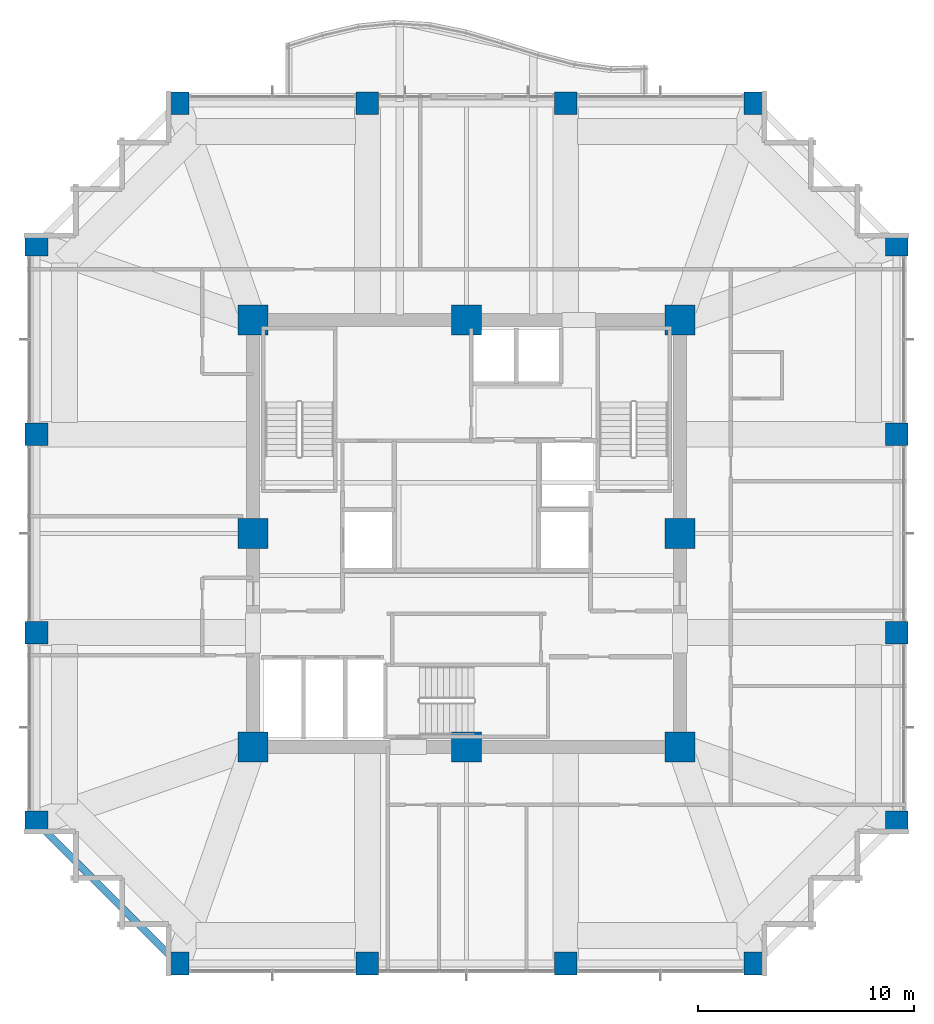
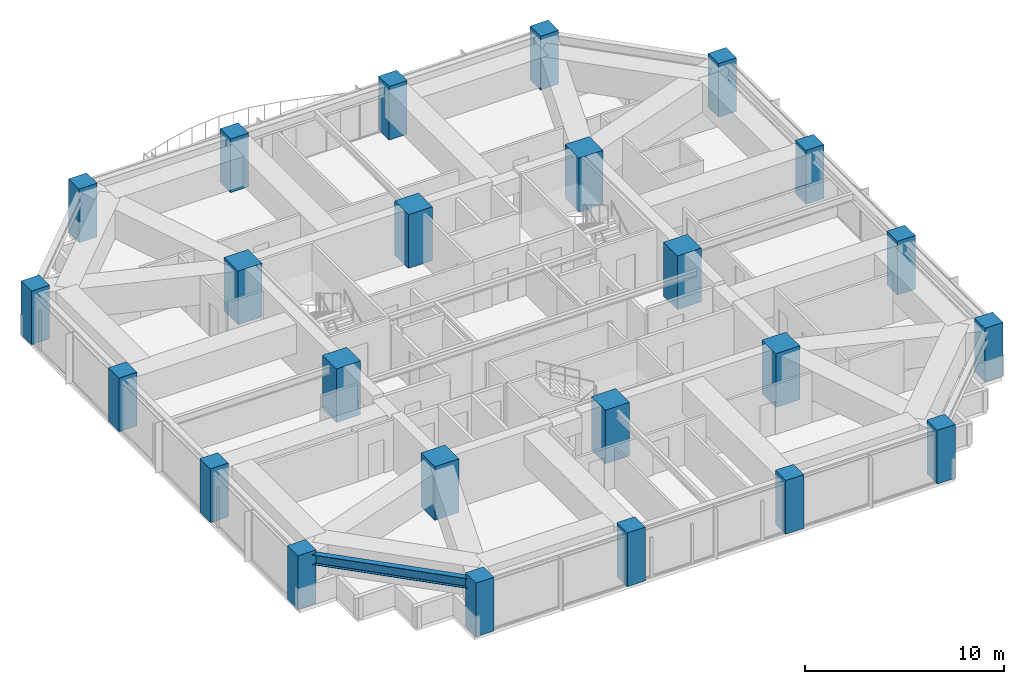
# One storey, part 1 of 34: 24 columns, 1 beam.
"""IFC4 building model written with IfcOpenShell, lengths in metres."""

from ifc_helpers import new_model, si_unit, direction, frame, origin, origin_2d, place, context, subcontext, project, spatial, rectangle, i_section, extrude, material, material_profile, profile_set, type_object, element, save


model = new_model("IFC4")

# Units and contexts
model_context = context("Model", 3, precision=1e-05, world=origin(), true_north=direction((0.0, 1.0)))
body_context = subcontext(model_context, "Body", "Model", "MODEL_VIEW")
ifc_project = project(units=[si_unit("LENGTHUNIT", "METRE"), si_unit("AREAUNIT", "SQUARE_METRE"), si_unit("VOLUMEUNIT", "CUBIC_METRE"), si_unit("PLANEANGLEUNIT", "RADIAN"), si_unit("MASSUNIT", "GRAM", prefix="KILO")], contexts=[model_context])

# Site, building, storey
site_placement = place(None, origin())
site = spatial("IfcSite", under=ifc_project, at=site_placement, CompositionType="ELEMENT")
building_placement = place(site_placement, origin())
building = spatial("IfcBuilding", under=site, at=building_placement, Name="Kolvaren Belvedere", CompositionType="ELEMENT")
storey_placement = place(building_placement, frame((0.0, 0.0, 105.199951171875)))
storey = spatial("IfcBuildingStorey", under=building, at=storey_placement, Name="L30", CompositionType="ELEMENT", Elevation=105.199951171875)

# Columns
ifc_material_1 = material(Name="Concrete C50/60", Category="concrete")
ifc_material_profile_1 = material_profile(ifc_material_1, rectangle(XDim=1.050048828125, YDim=1.050048828125, at=origin_2d()), Name="RC 1050X1050")
ifc_profile_set_1 = profile_set([ifc_material_profile_1], Name="Concrete C50/60")
column_type_1 = type_object("IfcColumnType", Name="COL-RC-1050", PredefinedType="COLUMN", material=ifc_profile_set_1)
for number, where, z_axis, x_axis, name in (
    (1, (-13.39990234375, -19.949951171875, 0.0), (0.0, 0.0, 1.0), (1.0, 0.0, 0.0), "L30 Perimeter Column S1"),
    (2, (-4.60009765625, -19.949951171875, 0.0), (0.0, 0.0, 1.0), (1.0, 0.0, 0.0), "L30 Perimeter Column S2"),
    (3, (4.60009765625, -19.949951171875, 0.0), (0.0, 0.0, 1.0), (1.0, 0.0, 0.0), "L30 Perimeter Column S3"),
    (4, (13.39990234375, -19.949951171875, 0.0), (0.0, 0.0, 1.0), (1.0, 0.0, 0.0), "L30 Perimeter Column S4"),
    (5, (-13.39990234375, 19.949951171875, 0.0), (0.0, 0.0, 1.0), (1.0, 0.0, 0.0), "L30 Perimeter Column N1"),
    (6, (-4.60009765625, 19.949951171875, 0.0), (0.0, 0.0, 1.0), (1.0, 0.0, 0.0), "L30 Perimeter Column N2"),
    (7, (4.60009765625, 19.949951171875, 0.0), (0.0, 0.0, 1.0), (1.0, 0.0, 0.0), "L30 Perimeter Column N3"),
    (8, (13.39990234375, 19.949951171875, 0.0), (0.0, 0.0, 1.0), (1.0, 0.0, 0.0), "L30 Perimeter Column N4"),
    (9, (-19.949951171875, -13.39990234375, 0.0), (0.0, 0.0, 1.0), (1.0, 0.0, 0.0), "L30 Perimeter Column W1"),
    (10, (-19.949951171875, -4.60009765625, 0.0), (0.0, 0.0, 1.0), (1.0, 0.0, 0.0), "L30 Perimeter Column W2"),
    (11, (-19.949951171875, 4.60009765625, 0.0), (0.0, 0.0, 1.0), (1.0, 0.0, 0.0), "L30 Perimeter Column W3"),
    (12, (-19.949951171875, 13.39990234375, 0.0), (0.0, 0.0, 1.0), (1.0, 0.0, 0.0), "L30 Perimeter Column W4"),
    (13, (19.949951171875, -13.39990234375, 0.0), (0.0, 0.0, 1.0), (1.0, 0.0, 0.0), "L30 Perimeter Column E1"),
    (14, (19.949951171875, -4.60009765625, 0.0), (0.0, 0.0, 1.0), (1.0, 0.0, 0.0), "L30 Perimeter Column E2"),
    (15, (19.949951171875, 4.60009765625, 0.0), (0.0, 0.0, 1.0), (1.0, 0.0, 0.0), "L30 Perimeter Column E3"),
    (16, (19.949951171875, 13.39990234375, 0.0), (0.0, 0.0, 1.0), (1.0, 0.0, 0.0), "L30 Perimeter Column E4"),
):
    element("IfcColumn", number, at=place(storey_placement, frame(where, z_axis=z_axis, x_axis=x_axis)), inside=storey, type_object=column_type_1, Name=name, PredefinedType="COLUMN", context=body_context, shape_type="SweptSolid", body=[
        extrude(rectangle(XDim=1.050048828125, YDim=1.050048828125, at=origin_2d()), origin(), (0.0, 0.0, 1.0), 3.300048828125),
    ])
ifc_material_2 = material(Name="Concrete C60/75", Category="concrete")
ifc_material_profile_2 = material_profile(ifc_material_2, rectangle(XDim=1.39990234375, YDim=1.39990234375, at=origin_2d()), Name="RC 1400X1400")
ifc_profile_set_2 = profile_set([ifc_material_profile_2], Name="Concrete C60/75")
column_type_2 = type_object("IfcColumnType", Name="COL-RC-1400", PredefinedType="COLUMN", material=ifc_profile_set_2)
for number, where, z_axis, x_axis, name in (
    (17, (-9.89990234375, -9.89990234375, 0.0), (0.0, 0.0, 1.0), (1.0, 0.0, 0.0), "L30 Core Column CC1"),
    (18, (9.89990234375, -9.89990234375, 0.0), (0.0, 0.0, 1.0), (1.0, 0.0, 0.0), "L30 Core Column CC2"),
    (19, (9.89990234375, 9.89990234375, 0.0), (0.0, 0.0, 1.0), (1.0, 0.0, 0.0), "L30 Core Column CC3"),
    (20, (-9.89990234375, 9.89990234375, 0.0), (0.0, 0.0, 1.0), (1.0, 0.0, 0.0), "L30 Core Column CC4"),
    (21, (0.0, -9.89990234375, 0.0), (0.0, 0.0, 1.0), (1.0, 0.0, 0.0), "L30 Core Column CM1"),
    (22, (9.89990234375, 0.0, 0.0), (0.0, 0.0, 1.0), (1.0, 0.0, 0.0), "L30 Core Column CM2"),
    (23, (0.0, 9.89990234375, 0.0), (0.0, 0.0, 1.0), (1.0, 0.0, 0.0), "L30 Core Column CM3"),
    (24, (-9.89990234375, 0.0, 0.0), (0.0, 0.0, 1.0), (1.0, 0.0, 0.0), "L30 Core Column CM4"),
):
    element("IfcColumn", number, at=place(storey_placement, frame(where, z_axis=z_axis, x_axis=x_axis)), inside=storey, type_object=column_type_2, Name=name, PredefinedType="COLUMN", context=body_context, shape_type="SweptSolid", body=[
        extrude(rectangle(XDim=1.39990234375, YDim=1.39990234375, at=origin_2d()), origin(), (0.0, 0.0, 1.0), 3.300048828125),
    ])

# Beam
ifc_material_3 = material(Name="Structural steel ASTM A992 Grade 50", Category="steel")
ifc_material_profile_3 = material_profile(ifc_material_3, i_section(OverallWidth=0.324951171875, OverallDepth=0.615966796875, WebThickness=0.013916015625, FlangeThickness=0.021484375, FilletRadius=0.02001953125, at=origin_2d()), Name="W24X117")
ifc_profile_set_3 = profile_set([ifc_material_profile_3], Name="Structural steel ASTM A992 Grade 50")
beam_type = type_object("IfcBeamType", Name="BM-SPAN-W24X117", PredefinedType="SPANDREL", material=ifc_profile_set_3)
beam_placement = place(storey_placement, frame((-19.782958984375, -13.567138671875, 2.77197265625), z_axis=(0.707106781187, -0.707106781187, 0.0), x_axis=(0.707106781187, 0.707106781187, 0.0)))
element("IfcBeam", 25, at=beam_placement, inside=storey, type_object=beam_type, Name="L30 Perimeter Spandrel W1-S1", PredefinedType="SPANDREL", context=body_context, shape_type="SweptSolid", body=[
    extrude(i_section(OverallWidth=0.324951171875, OverallDepth=0.615966796875, WebThickness=0.013916015625, FlangeThickness=0.021484375, FilletRadius=0.02001953125, at=origin_2d()), origin(), (0.0, 0.0, 1.0), 8.79052734375),
])

save(model, "model.ifc")
